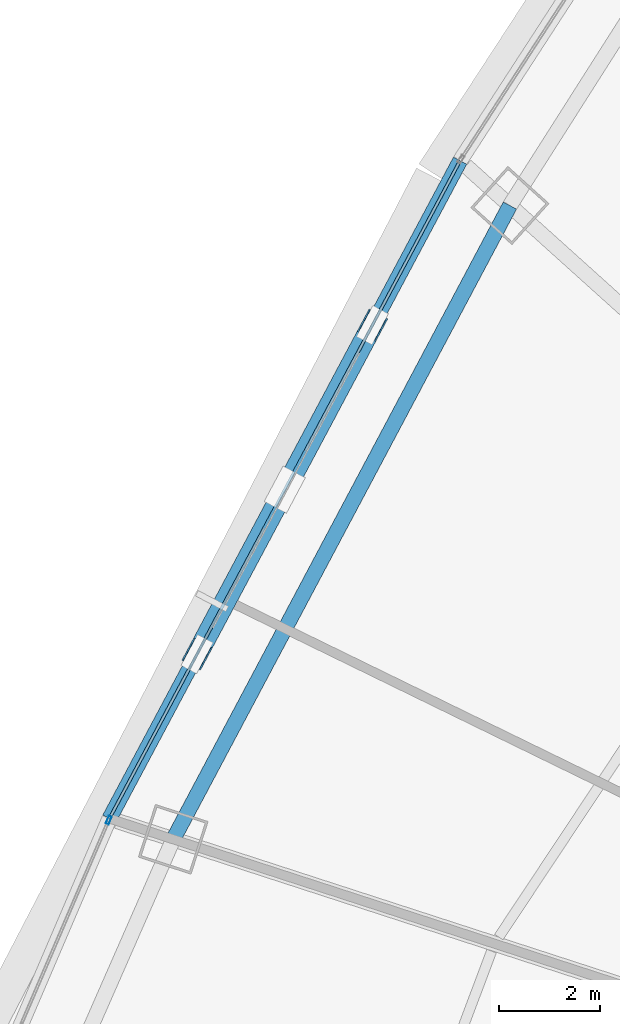
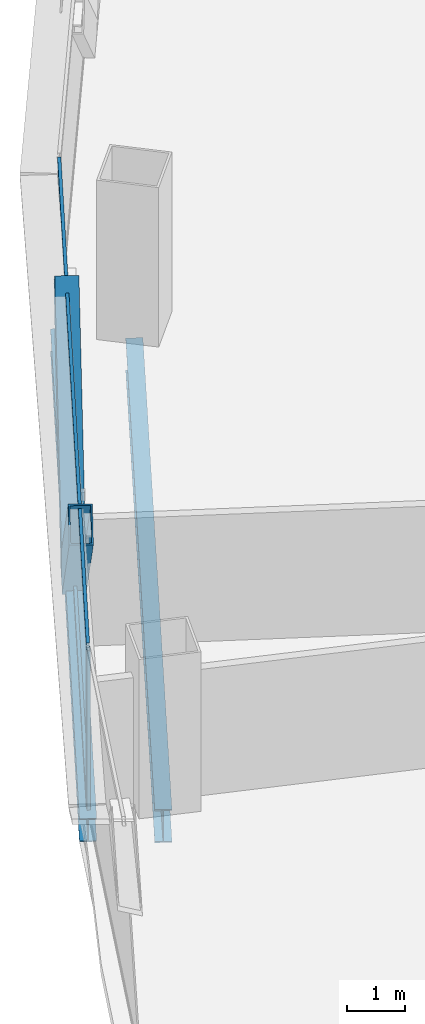
# One storey, part 14 of 37: 5 members, 2 beams, 2 elements without a shape of their own.
"""IFC4 building model written with IfcOpenShell, lengths in metres."""

from ifc_helpers import new_model, si_unit, direction, frame, origin, origin_2d, place, context, subcontext, project, spatial, hollow_rectangle, i_section, extrude, source, transform, mapped, material, layer, layer_set, material_profile, profile_set, type_object, element, aggregate, save


model = new_model("IFC4")

# Units and contexts
model_context = context("Model", 3, precision=1e-05, world=origin(), true_north=direction((0.0, 1.0)))
body_context = subcontext(model_context, "Body", "Model", "MODEL_VIEW")
ifc_project = project(units=[si_unit("LENGTHUNIT", "METRE"), si_unit("AREAUNIT", "SQUARE_METRE"), si_unit("VOLUMEUNIT", "CUBIC_METRE"), si_unit("PLANEANGLEUNIT", "RADIAN"), si_unit("MASSUNIT", "GRAM", prefix="KILO"), si_unit("THERMODYNAMICTEMPERATUREUNIT", "KELVIN"), si_unit("POWERUNIT", "WATT")], contexts=[model_context])

# Site, building, storey
site_placement = place(None, origin())
site = spatial("IfcSite", under=ifc_project, at=site_placement, CompositionType="ELEMENT")
building_placement = place(site_placement, origin())
building = spatial("IfcBuilding", under=site, at=building_placement, Name="Yunzhuo Pagoda Commons", CompositionType="ELEMENT")
storey_placement = place(building_placement, frame((0.0, 0.0, 55.81005859375)))
storey = spatial("IfcBuildingStorey", under=building, at=storey_placement, Name="L14", CompositionType="ELEMENT", Elevation=55.81005859375)

# Beams
ifc_material_1 = material(Name="Structural steel Q355B", Category="steel")
ifc_material_profile_1 = material_profile(ifc_material_1, i_section(OverallWidth=0.300048828125, OverallDepth=0.699951171875, WebThickness=0.012939453125, FlangeThickness=0.02392578125, at=origin_2d()), Name="Structural steel Q355B")
ifc_profile_set_1 = profile_set([ifc_material_profile_1], Name="Structural steel Q355B")
beam_type_1 = type_object("IfcBeamType", Name="B-RG1 Beam HN 700x300x13x24", PredefinedType="BEAM", material=ifc_profile_set_1)
shared_shape_1 = source(origin(), body_context, "Body", "SweptSolid", [
    extrude(i_section(OverallWidth=0.300048828125, OverallDepth=0.699951171875, WebThickness=0.012939453125, FlangeThickness=0.02392578125, at=origin_2d()), origin(), (0.0, 0.0, 1.0), 14.25390625),
])
beam_1_placement = place(storey_placement, frame((22.351318359375, 56.79443359375, -0.610107421875), z_axis=(-0.469118073628, -0.883135455633, 0.0), x_axis=(0.883135455633, -0.469118073628, 0.0)))
element("IfcBeam", 1, at=beam_1_placement, inside=storey, type_object=beam_type_1, Name="L14 column-ring beam 10", PredefinedType="BEAM", context=body_context, shape_type="MappedRepresentation", body=[
    mapped(shared_shape_1, transform((0.0, 0.0, 0.0), scale=1.0)),
])
ifc_material_profile_2 = material_profile(ifc_material_1, i_section(OverallWidth=0.300048828125, OverallDepth=0.488037109375, WebThickness=0.010986328125, FlangeThickness=0.01806640625, at=origin_2d()), Name="Structural steel Q355B")
ifc_profile_set_2 = profile_set([ifc_material_profile_2], Name="Structural steel Q355B")
beam_type_2 = type_object("IfcBeamType", Name="B-SP1 Beam HM 488x300x11x18", PredefinedType="BEAM", material=ifc_profile_set_2)
shared_shape_2 = source(origin(), body_context, "Body", "SweptSolid", [
    extrude(i_section(OverallWidth=0.300048828125, OverallDepth=0.488037109375, WebThickness=0.010986328125, FlangeThickness=0.01806640625, at=origin_2d()), origin(), (0.0, 0.0, 1.0), 14.806884765625),
])
beam_2_placement = place(storey_placement, frame((21.36181640625, 57.68505859375, -0.504150390625), z_axis=(-0.470363145456, -0.882472952218, 0.0), x_axis=(0.882472952218, -0.470363145456, 0.0)))
element("IfcBeam", 2, at=beam_2_placement, inside=storey, type_object=beam_type_2, Name="L14 facade edge spandrel beam F3.2", PredefinedType="BEAM", context=body_context, shape_type="MappedRepresentation", body=[
    mapped(shared_shape_2, transform((0.0, 0.0, 0.0), scale=1.0)),
])

# Members
ifc_material_2 = material(Name="Structural steel Q420B", Category="steel")
ifc_material_profile_3 = material_profile(ifc_material_2, hollow_rectangle(XDim=0.419921875, YDim=0.719970703125, WallThickness=0.028076171875, at=origin_2d()), Name="Structural steel Q420B")
ifc_profile_set_3 = profile_set([ifc_material_profile_3], Name="Structural steel Q420B")
member_type_1 = type_object("IfcMemberType", Name="M-DL1 Brace BOX 720x420x28", PredefinedType="BRACE", material=ifc_profile_set_3)
shared_shape_3 = source(origin(), body_context, "Body", "SweptSolid", [
    extrude(hollow_rectangle(XDim=0.419921875, YDim=0.719970703125, WallThickness=0.028076171875, at=origin_2d()), origin(), (0.0, 0.0, 1.0), 5.1845703125),
])
for number, where, z_axis, x_axis, name in (
    (3, (17.879638671875, 51.151611328125, -0.260009765625), (0.335842441178, 0.63010483811, 0.700126951126), (-0.882477051666, 0.470355454187, 0.0), "L14 facade diamond brace F3.2L"),
    (4, (17.879638671875, 51.151611328125, -0.260009765625), (-0.33589418436, -0.630066477882, 0.700136651207), (0.882435082222, -0.470434188452, 0.0), "L14 facade diamond brace F3.2R"),
):
    element("IfcMember", number, at=place(storey_placement, frame(where, z_axis=z_axis, x_axis=x_axis)), inside=storey, type_object=member_type_1, Name=name, PredefinedType="BRACE", context=body_context, shape_type="MappedRepresentation", body=[
        mapped(shared_shape_3, transform((0.0, 0.0, 0.0), scale=1.0)),
    ])

# Curtain wall, member
ifc_material_3 = material(Name="Anodized aluminium 6063-T6", Category="aluminium")
ifc_layer = layer(ifc_material_3, 0.1650390625)
ifc_layer_set = layer_set([ifc_layer], Name="Anodized aluminium 6063-T6")
curtain_wall_type = type_object("IfcCurtainWallType", Name="CW-LOW Low-Zone Ribbon Curtain Wall", PredefinedType="NOTDEFINED", material=ifc_layer_set)
curtain_wall_1_placement = place(storey_placement, origin())
curtain_wall_1 = element("IfcCurtainWall", 5, at=curtain_wall_1_placement, inside=storey, type_object=curtain_wall_type, Name="L14 curtain wall CW-L14-F3B4", PredefinedType="NOTDEFINED")
ifc_material_profile_4 = material_profile(ifc_material_3, hollow_rectangle(XDim=0.06494140625, YDim=0.1650390625, WallThickness=0.00390625, at=origin_2d()), Name="Anodized aluminium 6063-T6")
ifc_profile_set_4 = profile_set([ifc_material_profile_4], Name="Anodized aluminium 6063-T6")
member_type_2 = type_object("IfcMemberType", Name="CW-LOW-M Mullion RHS 165x65x4", PredefinedType="MULLION", material=ifc_profile_set_4)
shared_shape_4 = source(origin(), body_context, "Body", "SweptSolid", [
    extrude(hollow_rectangle(XDim=0.06494140625, YDim=0.1650390625, WallThickness=0.00390625, at=origin_2d()), origin(), (0.0, 0.0, 1.0), 3.369873046875),
])
member_1_placement = place(storey_placement, frame((14.38427734375, 44.58837890625, 0.0), z_axis=(0.0, 0.0, 1.0), x_axis=(0.918993139703, -0.394273520769, 0.0)))
member_1 = element("IfcMember", 6, at=member_1_placement, type_object=member_type_2, Name="CW mullion 1", PredefinedType="MULLION", context=body_context, shape_type="MappedRepresentation", body=[
    mapped(shared_shape_4, transform((0.0, 0.0, 0.0), scale=1.0)),
])
aggregate(curtain_wall_1, [member_1])

# Curtain wall, members
curtain_wall_2_placement = place(storey_placement, origin())
curtain_wall_2 = element("IfcCurtainWall", 7, at=curtain_wall_2_placement, inside=storey, type_object=curtain_wall_type, Name="L14 curtain wall CW-L14-F3B3", PredefinedType="NOTDEFINED")
ifc_material_profile_5 = material_profile(ifc_material_3, hollow_rectangle(XDim=0.06005859375, YDim=0.139892578125, WallThickness=0.00341796875, at=origin_2d()), Name="Anodized aluminium 6063-T6")
ifc_profile_set_5 = profile_set([ifc_material_profile_5], Name="Anodized aluminium 6063-T6")
member_type_3 = type_object("IfcMemberType", Name="CW-LOW-T Transom RHS 140x60x3.5", PredefinedType="USERDEFINED", material=ifc_profile_set_5)
shared_shape_5 = source(origin(), body_context, "Body", "SweptSolid", [
    extrude(hollow_rectangle(XDim=0.06005859375, YDim=0.139892578125, WallThickness=0.00341796875, at=origin_2d()), origin(), (0.0, 0.0, 1.0), 14.677001953125),
])
member_2_placement = place(storey_placement, frame((21.331298828125, 57.6279296875, 0.030029296875), z_axis=(-0.470362882364, -0.882473092448, 0.0), x_axis=(0.882473092448, -0.470362882364, 0.0)))
member_2 = element("IfcMember", 8, at=member_2_placement, type_object=member_type_3, Name="CW transom 1.1", ObjectType="TRANSOM", PredefinedType="USERDEFINED", context=body_context, shape_type="MappedRepresentation", body=[
    mapped(shared_shape_5, transform((0.0, 0.0, 0.0), scale=1.0)),
])
member_3_placement = place(storey_placement, frame((21.331298828125, 57.6279296875, 3.33984375), z_axis=(-0.470362882364, -0.882473092448, 0.0), x_axis=(0.882473092448, -0.470362882364, 0.0)))
member_3 = element("IfcMember", 9, at=member_3_placement, type_object=member_type_3, Name="CW transom 1.2", ObjectType="TRANSOM", PredefinedType="USERDEFINED", context=body_context, shape_type="MappedRepresentation", body=[
    mapped(shared_shape_5, transform((0.0, 0.0, 0.0), scale=1.0)),
])
aggregate(curtain_wall_2, [member_2, member_3])

save(model, "model.ifc")
